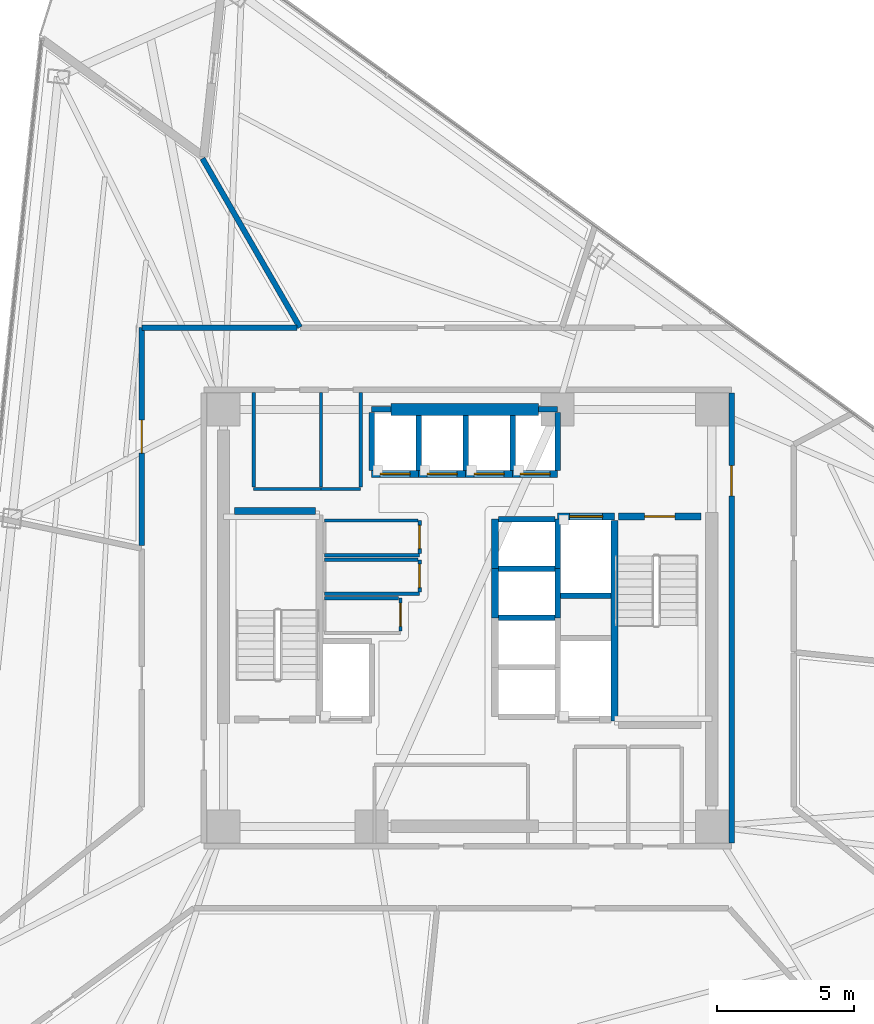
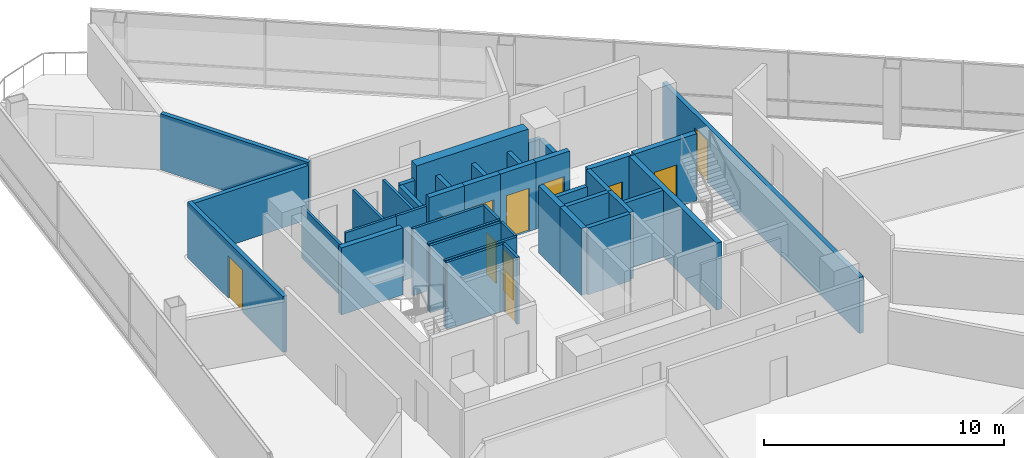
# One storey, part 12 of 19: 41 walls, 11 doors, 11 openings.
"""IFC4 building model written with IfcOpenShell, lengths in metres."""

import ifcopenshell
import ifcopenshell.guid

model = None  # the IFC model being written
_history = None  # IfcOwnerHistory: only IFC2X3 demands one
_inside = {}  # id of a spatial element -> (the spatial element, [elements in it])
_under = {}  # id of a project, library or spatial element -> (it, [spatial elements below it])
_declared = {}  # id of a project -> (the project, [libraries it declares])
_typed = {}  # id of a type object -> (the type object, [elements of that type])
_made_of = {}  # id of a material, layer set ... -> (it, [elements and type objects made of it])


def new_model(schema):
    """Start an empty IFC model of exactly this schema.

    Asked for "IFC4X3", IfcOpenShell would pick the latest addendum, in which some entities
    have other attributes; the version numbers below select the first issue.
    IFC2X3 requires an IfcOwnerHistory on every rooted entity: one is made here for all.
    """
    global model, _history
    if schema == "IFC4X3":
        model = ifcopenshell.file(schema_version=(4, 3, 0, 0))
    else:
        model = ifcopenshell.file(schema=schema)
    _inside.clear()
    _under.clear()
    _declared.clear()
    _typed.clear()
    _made_of.clear()
    _history = None
    if model.schema == "IFC2X3":
        org = make("IfcOrganization", Name="unknown")
        user = make(
            "IfcPersonAndOrganization",
            ThePerson=make("IfcPerson", FamilyName="unknown"),
            TheOrganization=org,
        )
        app = make(
            "IfcApplication",
            ApplicationDeveloper=org,
            Version="unknown",
            ApplicationFullName="unknown",
            ApplicationIdentifier="unknown",
        )
        _history = make(
            "IfcOwnerHistory",
            OwningUser=user,
            OwningApplication=app,
            ChangeAction="ADDED",
            CreationDate=0,
        )
    return model


def make(cls, **values):
    """One entity of the class cls with the attributes given. An attribute that is None is left unset."""
    return model.create_entity(
        cls, **{name: value for name, value in values.items() if value is not None}
    )


def rooted(cls, **values):
    """An entity with a GlobalId (a new one), such as an element, a storey or a relation."""
    return make(cls, GlobalId=ifcopenshell.guid.new(), OwnerHistory=_history, **values)


def si_unit(unit_type, name, prefix=None):
    """IfcSIUnit, for example si_unit("LENGTHUNIT", "METRE", prefix="MILLI")."""
    return make("IfcSIUnit", UnitType=unit_type, Prefix=prefix, Name=name)


def assignment(units):
    """IfcUnitAssignment: the units of a project."""
    return None if units is None else make("IfcUnitAssignment", Units=units)


def point(xyz):
    """IfcCartesianPoint."""
    return None if xyz is None else make("IfcCartesianPoint", Coordinates=xyz)


def direction(xyz):
    """IfcDirection."""
    return None if xyz is None else make("IfcDirection", DirectionRatios=xyz)


def frame(location, z_axis=None, x_axis=None):
    """IfcAxis2Placement3D, a coordinate frame: its origin and axes. An axis left out is left unset."""
    return make(
        "IfcAxis2Placement3D",
        Location=point(location),
        Axis=direction(z_axis),
        RefDirection=direction(x_axis),
    )


def frame_2d(location, x_axis=None):
    """IfcAxis2Placement2D, a coordinate frame in the plane: its origin and x axis."""
    return make(
        "IfcAxis2Placement2D", Location=point(location), RefDirection=direction(x_axis)
    )


def origin():
    """The frame at (0, 0, 0) with its axes left unset."""
    return frame((0.0, 0.0, 0.0))


def place(relative_to, where):
    """IfcLocalPlacement: puts the frame where relative to a parent placement (None: the world)."""
    return make(
        "IfcLocalPlacement", PlacementRelTo=relative_to, RelativePlacement=where
    )


def context(
    kind, dimensions, precision=None, world=None, true_north=None, identifier=None
):
    """IfcGeometricRepresentationContext, for example the 3D "Model" context."""
    return make(
        "IfcGeometricRepresentationContext",
        ContextIdentifier=identifier,
        ContextType=kind,
        CoordinateSpaceDimension=dimensions,
        Precision=precision,
        WorldCoordinateSystem=world,
        TrueNorth=true_north,
    )


def subcontext(parent, identifier, kind, view, scale=None):
    """IfcGeometricRepresentationSubContext, for example "Body" below "Model"."""
    return make(
        "IfcGeometricRepresentationSubContext",
        ContextIdentifier=identifier,
        ContextType=kind,
        ParentContext=parent,
        TargetScale=scale,
        TargetView=view,
    )


def project(units=None, contexts=None):
    """IfcProject with its units and contexts."""
    return rooted(
        "IfcProject",
        Name="project",
        RepresentationContexts=contexts,
        UnitsInContext=assignment(units),
    )


def spatial(cls, under=None, at=None, **own):
    """A site, building, storey or space (cls), placed at a placement, below another one or the project."""
    s = rooted(cls, ObjectPlacement=at, **own)
    if under is not None:
        _under.setdefault(under.id(), (under, []))[1].append(s)
    return s


def profile(cls, at=None, kind="AREA", **sizes):
    """A parametric profile (cls). Its sizes go by their IFC names, for example OverallWidth=200.0."""
    return make(cls, ProfileType=kind, Position=at, **sizes)


def rectangle(**sizes):
    """IfcRectangleProfileDef."""
    return profile("IfcRectangleProfileDef", **sizes)


def extrude(swept, where, along, depth):
    """IfcExtrudedAreaSolid: the profile swept, set in the frame where, extruded along a direction by depth."""
    return make(
        "IfcExtrudedAreaSolid",
        SweptArea=swept,
        Position=where,
        ExtrudedDirection=direction(along),
        Depth=depth,
    )


def shape(context_of_items, identifier, shape_type, items):
    """IfcShapeRepresentation: the items that make up one representation, for example the "Body"."""
    return make(
        "IfcShapeRepresentation",
        ContextOfItems=context_of_items,
        RepresentationIdentifier=identifier,
        RepresentationType=shape_type,
        Items=items,
    )


def material(Name=None, Category=None):
    """IfcMaterial."""
    return make("IfcMaterial", Name=Name, Category=Category)


def layer(
    of_material, thickness, ventilated=None, Name=None, Category=None, Priority=None
):
    """IfcMaterialLayer: one layer of a wall or slab, of a material (None: an air gap)."""
    return make(
        "IfcMaterialLayer",
        Material=of_material,
        LayerThickness=thickness,
        IsVentilated=ventilated,
        Name=Name,
        Category=Category,
        Priority=Priority,
    )


def layer_set(layers, Name=None):
    """IfcMaterialLayerSet."""
    return make("IfcMaterialLayerSet", MaterialLayers=layers, LayerSetName=Name)


def made_of(thing, what):
    """Note that an element or type object is made of a material, layer set ...; save() writes the relation."""
    if what is not None:
        _made_of.setdefault(what.id(), (what, []))[1].append(thing)
    return thing


def type_object(cls, material=None, **own):
    """A type object (cls), such as IfcWallType, which elements share."""
    return made_of(rooted(cls, **own), material)


def element(
    cls,
    number,
    at=None,
    inside=None,
    cuts=None,
    type_object=None,
    material=None,
    context=None,
    identifier="Body",
    shape_type=None,
    held_by="IfcProductDefinitionShape",
    body=None,
    shapes=None,
    **own,
):
    """One element of the class cls, such as IfcWall. Its Tag is "e" and its number.

    at: its placement. inside: the storey or other place that contains it. cuts: it is an
    opening in that element (IfcRelVoidsElement). A single representation is given by context,
    identifier, shape_type and body (its items); several are given by shapes. held_by: the class
    of the entity that holds the representations. save() writes the other relations.
    """
    e = rooted(cls, Tag="e%d" % number, ObjectPlacement=at, **own)
    if body is not None:
        shapes = [shape(context, identifier, shape_type, body)]
    if shapes is not None:
        e.Representation = make(held_by, Representations=shapes)
    if inside is not None:
        _inside.setdefault(inside.id(), (inside, []))[1].append(e)
    if cuts is not None:
        rooted(
            "IfcRelVoidsElement", RelatingBuildingElement=cuts, RelatedOpeningElement=e
        )
    if type_object is not None:
        _typed.setdefault(type_object.id(), (type_object, []))[1].append(e)
    return made_of(e, material)


def fill(opening, filler):
    """IfcRelFillsElement: the door or window that sits in an opening."""
    return rooted(
        "IfcRelFillsElement",
        RelatingOpeningElement=opening,
        RelatedBuildingElement=filler,
    )


def aggregate(whole, parts):
    """IfcRelAggregates: a whole, such as a stair, and the parts it consists of."""
    return rooted("IfcRelAggregates", RelatingObject=whole, RelatedObjects=parts)


def save(model, path):
    """Write the relations noted so far, then the file.

    IfcRelAggregates (storeys below a building ...), IfcRelContainedInSpatialStructure (elements
    in a storey), IfcRelDefinesByType, IfcRelAssociatesMaterial and IfcRelDeclares: one each for
    every whole, place, type object, material and project.
    """
    for whole, parts in _under.values():
        aggregate(whole, parts)
    for where, things in _inside.values():
        rooted(
            "IfcRelContainedInSpatialStructure",
            RelatedElements=things,
            RelatingStructure=where,
        )
    for kind, things in _typed.values():
        rooted("IfcRelDefinesByType", RelatedObjects=things, RelatingType=kind)
    for what, things in _made_of.values():
        rooted("IfcRelAssociatesMaterial", RelatedObjects=things, RelatingMaterial=what)
    for by, libraries in _declared.values():
        rooted("IfcRelDeclares", RelatingContext=by, RelatedDefinitions=libraries)
    model.write(path)


model = new_model("IFC4")

# Units and contexts
model_context = context("Model", 3, precision=1e-05, world=origin(), true_north=direction((0.0, 1.0)))
body_context = subcontext(model_context, "Body", "Model", "MODEL_VIEW")
ifc_project = project(units=[si_unit("LENGTHUNIT", "METRE"), si_unit("AREAUNIT", "SQUARE_METRE"), si_unit("VOLUMEUNIT", "CUBIC_METRE"), si_unit("PLANEANGLEUNIT", "RADIAN"), si_unit("MASSUNIT", "GRAM", prefix="KILO")], contexts=[model_context])

# Site, building, storey
site_placement = place(None, origin())
site = spatial("IfcSite", under=ifc_project, at=site_placement, CompositionType="ELEMENT")
building_placement = place(site_placement, origin())
building = spatial("IfcBuilding", under=site, at=building_placement, Name="Tharavind Bronze Gate", CompositionType="ELEMENT")
storey_placement = place(building_placement, frame((0.0, 0.0, 116.050048828125)))
storey = spatial("IfcBuildingStorey", under=building, at=storey_placement, Name="L29", CompositionType="ELEMENT", Elevation=116.050048828125)

# Wall, opening, door
ifc_material_1 = material(Name="Aerated Concrete Block", Category="concrete")
ifc_layer_1 = layer(ifc_material_1, 0.199951171875)
ifc_layer_set_1 = layer_set([ifc_layer_1], Name="Aerated Concrete Block")
wall_type_1 = type_object("IfcWallType", Name="FIRE RATED PARTITION 200", PredefinedType="PARTITIONING", material=ifc_layer_set_1)
wall_1_placement = place(storey_placement, frame((9.6201171875, -8.199951171875, 0.0), z_axis=(0.0, 0.0, 1.0), x_axis=(0.0, 1.0, 0.0)))
wall_1 = element("IfcWall", 1, at=wall_1_placement, inside=storey, type_object=wall_type_1, Name="L29 east core corridor wall", PredefinedType="PARTITIONING", context=body_context, shape_type="SweptSolid", body=[
    extrude(rectangle(XDim=16.39990234375, YDim=0.199951171875, at=frame_2d((8.199951171875, 0.0))), origin(), (0.0, 0.0, 1.0), 2.85498046875),
])
opening_1_placement = place(wall_1_placement, frame((12.64990234375, 0.0, 0.0)))
opening_1 = element("IfcOpeningElement", 2, at=opening_1_placement, cuts=wall_1, Name="Opening ID01", PredefinedType="OPENING", context=body_context, shape_type="SweptSolid", body=[
    extrude(rectangle(XDim=1.10009765625, YDim=2.14990234375, at=frame_2d((0.550048828125, 1.074951171875))), frame((0.0, 0.11009765625, 0.0), z_axis=(0.0, -1.0, 0.0), x_axis=(1.0, 0.0, 0.0)), (0.0, 0.0, 1.0), 0.219951171875),
])
ifc_material_2 = material(Name="Fire-Rated Steel", Category="steel")
door_type_1 = type_object("IfcDoorType", Name="STAIR CORE FIRE DOOR 1100X2150", OperationType="SINGLE_SWING_LEFT", PredefinedType="DOOR", material=ifc_material_2)
door_1_placement = place(opening_1_placement, frame((1.10009765625, 0.0, 0.0), z_axis=(0.0, 0.0, 1.0), x_axis=(-1.0, 0.0, 0.0)))
door_1 = element("IfcDoor", 3, at=door_1_placement, inside=storey, type_object=door_type_1, Name="L29 north east stair lobby fire door", OperationType="SINGLE_SWING_LEFT", OverallHeight=2.14990234375, OverallWidth=1.10009765625, PredefinedType="DOOR", context=body_context, shape_type="SweptSolid", body=[
    extrude(rectangle(XDim=1.10009765625, YDim=2.14990234375, at=frame_2d((0.550048828125, 1.074951171875))), frame((0.0, 0.02490234375, 0.0), z_axis=(0.0, -1.0, 0.0), x_axis=(1.0, 0.0, 0.0)), (0.0, 0.0, 1.0), 0.050048828125),
])
fill(opening_1, door_1)

# Walls
wall_2_placement = place(storey_placement, frame((-6.115478515625, 10.592529296875, 0.0), z_axis=(0.0, 0.0, 1.0), x_axis=(-0.50001885532, 0.866014517387, 0.0)))
element("IfcWall", 4, at=wall_2_placement, inside=storey, type_object=wall_type_1, Name="L29 Risk Analytics Office partition", PredefinedType="PARTITIONING", context=body_context, shape_type="SweptSolid", body=[
    extrude(rectangle(XDim=7.106201171875, YDim=0.199951171875, at=frame_2d((3.55322265625, 0.0))), origin(), (0.0, 0.0, 1.0), 2.85498046875),
])
wall_3_placement = place(storey_placement, frame((-6.2294921875, 10.580078125, 0.0), z_axis=(0.0, 0.0, 1.0), x_axis=(-1.0, 0.0, 0.0)))
element("IfcWall", 5, at=wall_3_placement, inside=storey, type_object=wall_type_1, Name="L29 Compliance Boardroom partition", PredefinedType="PARTITIONING", context=body_context, shape_type="SweptSolid", body=[
    extrude(rectangle(XDim=5.64990234375, YDim=0.199951171875, at=frame_2d((2.824951171875, 0.0))), origin(), (0.0, 0.0, 1.0), 2.7548828125),
])

# Wall, opening, door
wall_4_placement = place(storey_placement, frame((-11.8798828125, 10.579345703125, 0.0), z_axis=(0.0, 0.0, 1.0), x_axis=(0.0, -1.0, 0.0)))
wall_4 = element("IfcWall", 6, at=wall_4_placement, inside=storey, type_object=wall_type_1, Name="L29 Compliance Boardroom partition", PredefinedType="PARTITIONING", context=body_context, shape_type="SweptSolid", body=[
    extrude(rectangle(XDim=7.94677734375, YDim=0.199951171875, at=frame_2d((3.973388671875, 0.0))), origin(), (0.0, 0.0, 1.0), 2.85498046875),
])
opening_2_placement = place(wall_4_placement, frame((3.373046875, 0.0, 0.0)))
opening_2 = element("IfcOpeningElement", 7, at=opening_2_placement, cuts=wall_4, Name="Opening ID05", PredefinedType="OPENING", context=body_context, shape_type="SweptSolid", body=[
    extrude(rectangle(XDim=1.199951171875, YDim=2.14990234375, at=frame_2d((0.60009765625, 1.074951171875))), frame((0.0, 0.11009765625, 0.0), z_axis=(0.0, -1.0, 0.0), x_axis=(1.0, 0.0, 0.0)), (0.0, 0.0, 1.0), 0.219951171875),
])
ifc_material_3 = material(Name="Acoustic Laminated Glass", Category="glass")
door_type_2 = type_object("IfcDoorType", Name="MEETING ROOM GLAZED DOOR 1200X2150", OperationType="SINGLE_SWING_LEFT", PredefinedType="DOOR", material=ifc_material_3)
door_2_placement = place(opening_2_placement, origin())
door_2 = element("IfcDoor", 8, at=door_2_placement, inside=storey, type_object=door_type_2, Name="L29 Compliance Boardroom door", OperationType="SINGLE_SWING_LEFT", OverallHeight=2.14990234375, OverallWidth=1.199951171875, PredefinedType="DOOR", context=body_context, shape_type="SweptSolid", body=[
    extrude(rectangle(XDim=1.199951171875, YDim=2.14990234375, at=frame_2d((0.60009765625, 1.074951171875))), frame((0.0, 0.02490234375, 0.0), z_axis=(0.0, -1.0, 0.0), x_axis=(1.0, 0.0, 0.0)), (0.0, 0.0, 1.0), 0.050048828125),
])
fill(opening_2, door_2)

# Wall
ifc_material_4 = material(Name="Metal Stud Gypsum Partition", Category="gypsum")
ifc_layer_2 = layer(ifc_material_4, 0.1201171875)
ifc_layer_set_2 = layer_set([ifc_layer_2], Name="Metal Stud Gypsum Partition")
wall_type_2 = type_object("IfcWallType", Name="INTERIOR PARTITION WALL 120", PredefinedType="PARTITIONING", material=ifc_layer_set_2)
wall_5_placement = place(storey_placement, frame((-5.219970703125, 2.280029296875, 0.0), z_axis=(0.0, 0.0, 1.0), x_axis=(1.0, 0.0, 0.0)))
element("IfcWall", 9, at=wall_5_placement, inside=storey, type_object=wall_type_2, Name="L29 Housekeeping Linen Store partition 1", PredefinedType="PARTITIONING", context=body_context, shape_type="SweptSolid", body=[
    extrude(rectangle(XDim=3.469970703125, YDim=0.1201171875, at=frame_2d((1.73486328125, 0.0))), origin(), (0.0, 0.0, 1.0), 3.409912109375),
])

# Wall, opening, door
wall_6_placement = place(storey_placement, frame((-1.75, 2.344970703125, 0.0), z_axis=(0.0, 0.0, 1.0), x_axis=(0.0, 1.0, 0.0)))
wall_6 = element("IfcWall", 10, at=wall_6_placement, inside=storey, type_object=wall_type_2, Name="L29 Housekeeping Linen Store partition 2", PredefinedType="PARTITIONING", context=body_context, shape_type="SweptSolid", body=[
    extrude(rectangle(XDim=1.205078125, YDim=0.1201171875, at=frame_2d((0.6025390625, 0.0))), origin(), (0.0, 0.0, 1.0), 3.409912109375),
])
opening_3_placement = place(wall_6_placement, frame((0.177001953125, 0.0, 0.0)))
opening_3 = element("IfcOpeningElement", 11, at=opening_3_placement, cuts=wall_6, Name="Opening ID06", PredefinedType="OPENING", context=body_context, shape_type="SweptSolid", body=[
    extrude(rectangle(XDim=0.85009765625, YDim=2.10009765625, at=frame_2d((0.425048828125, 1.050048828125))), frame((0.0, 0.07005859375, 0.0), z_axis=(0.0, -1.0, 0.0), x_axis=(1.0, 0.0, 0.0)), (0.0, 0.0, 1.0), 0.1401171875),
])
ifc_material_5 = material(Name="Moisture-Resistant Timber", Category="wood")
door_type_3 = type_object("IfcDoorType", Name="BATHROOM PRIVACY DOOR 850X2100", OperationType="SINGLE_SWING_RIGHT", PredefinedType="DOOR", material=ifc_material_5)
door_3_placement = place(opening_3_placement, frame((0.85009765625, 0.0, 0.0), z_axis=(0.0, 0.0, 1.0), x_axis=(-1.0, 0.0, 0.0)))
door_3 = element("IfcDoor", 12, at=door_3_placement, inside=storey, type_object=door_type_3, Name="L29 Housekeeping Linen Store door", OperationType="SINGLE_SWING_RIGHT", OverallHeight=2.10009765625, OverallWidth=0.85009765625, PredefinedType="DOOR", context=body_context, shape_type="SweptSolid", body=[
    extrude(rectangle(XDim=0.85009765625, YDim=2.10009765625, at=frame_2d((0.425048828125, 1.050048828125))), frame((0.0, 0.02490234375, 0.0), z_axis=(0.0, -1.0, 0.0), x_axis=(1.0, 0.0, 0.0)), (0.0, 0.0, 1.0), 0.050048828125),
])
fill(opening_3, door_3)

# Walls
wall_7_placement = place(storey_placement, frame((-1.81494140625, 3.550048828125, 0.0), z_axis=(0.0, 0.0, 1.0), x_axis=(-1.0, 0.0, 0.0)))
element("IfcWall", 13, at=wall_7_placement, inside=storey, type_object=wall_type_2, Name="L29 Housekeeping Linen Store partition 3", PredefinedType="PARTITIONING", context=body_context, shape_type="SweptSolid", body=[
    extrude(rectangle(XDim=3.405029296875, YDim=0.1201171875, at=frame_2d((1.70263671875, 0.0))), origin(), (0.0, 0.0, 1.0), 3.409912109375),
])
wall_8_placement = place(storey_placement, frame((-5.219970703125, 0.8798828125, 0.0), z_axis=(0.0, 0.0, 1.0), x_axis=(1.0, 0.0, 0.0)))
element("IfcWall", 14, at=wall_8_placement, inside=storey, type_object=wall_type_2, Name="L29 Comms Data Room partition 1", PredefinedType="PARTITIONING", context=body_context, shape_type="SweptSolid", body=[
    extrude(rectangle(XDim=3.469970703125, YDim=0.1201171875, at=frame_2d((1.73486328125, 0.0))), origin(), (0.0, 0.0, 1.0), 3.409912109375),
])

# Wall, opening, door
wall_9_placement = place(storey_placement, frame((-1.75, 0.945068359375, 0.0), z_axis=(0.0, 0.0, 1.0), x_axis=(0.0, 1.0, 0.0)))
wall_9 = element("IfcWall", 15, at=wall_9_placement, inside=storey, type_object=wall_type_2, Name="L29 Comms Data Room partition 2", PredefinedType="PARTITIONING", context=body_context, shape_type="SweptSolid", body=[
    extrude(rectangle(XDim=1.175048828125, YDim=0.1201171875, at=frame_2d((0.58740234375, 0.0))), origin(), (0.0, 0.0, 1.0), 3.409912109375),
])
opening_4_placement = place(wall_9_placement, frame((0.1630859375, 0.0, 0.0)))
opening_4 = element("IfcOpeningElement", 16, at=opening_4_placement, cuts=wall_9, Name="Opening ID06", PredefinedType="OPENING", context=body_context, shape_type="SweptSolid", body=[
    extrude(rectangle(XDim=0.85009765625, YDim=2.10009765625, at=frame_2d((0.425048828125, 1.050048828125))), frame((0.0, 0.07005859375, 0.0), z_axis=(0.0, -1.0, 0.0), x_axis=(1.0, 0.0, 0.0)), (0.0, 0.0, 1.0), 0.1401171875),
])
door_4_placement = place(opening_4_placement, frame((0.85009765625, 0.0, 0.0), z_axis=(0.0, 0.0, 1.0), x_axis=(-1.0, 0.0, 0.0)))
door_4 = element("IfcDoor", 17, at=door_4_placement, inside=storey, type_object=door_type_3, Name="L29 Comms Data Room door", OperationType="SINGLE_SWING_RIGHT", OverallHeight=2.10009765625, OverallWidth=0.85009765625, PredefinedType="DOOR", context=body_context, shape_type="SweptSolid", body=[
    extrude(rectangle(XDim=0.85009765625, YDim=2.10009765625, at=frame_2d((0.425048828125, 1.050048828125))), frame((0.0, 0.02490234375, 0.0), z_axis=(0.0, -1.0, 0.0), x_axis=(1.0, 0.0, 0.0)), (0.0, 0.0, 1.0), 0.050048828125),
])
fill(opening_4, door_4)

# Wall
wall_10_placement = place(storey_placement, frame((-1.81494140625, 2.1201171875, 0.0), z_axis=(0.0, 0.0, 1.0), x_axis=(-1.0, 0.0, 0.0)))
element("IfcWall", 18, at=wall_10_placement, inside=storey, type_object=wall_type_2, Name="L29 Comms Data Room partition 3", PredefinedType="PARTITIONING", context=body_context, shape_type="SweptSolid", body=[
    extrude(rectangle(XDim=3.405029296875, YDim=0.1201171875, at=frame_2d((1.70263671875, 0.0))), origin(), (0.0, 0.0, 1.0), 3.409912109375),
])

# Wall, opening, door
wall_11_placement = place(storey_placement, frame((-2.449951171875, -0.485107421875, 0.0), z_axis=(0.0, 0.0, 1.0), x_axis=(0.0, 1.0, 0.0)))
wall_11 = element("IfcWall", 19, at=wall_11_placement, inside=storey, type_object=wall_type_2, Name="L29 Electrical Metering Store partition 2", PredefinedType="PARTITIONING", context=body_context, shape_type="SweptSolid", body=[
    extrude(rectangle(XDim=1.205078125, YDim=0.1201171875, at=frame_2d((0.6025390625, 0.0))), origin(), (0.0, 0.0, 1.0), 3.409912109375),
])
opening_5_placement = place(wall_11_placement, frame((0.177978515625, 0.0, 0.0)))
opening_5 = element("IfcOpeningElement", 20, at=opening_5_placement, cuts=wall_11, Name="Opening ID06", PredefinedType="OPENING", context=body_context, shape_type="SweptSolid", body=[
    extrude(rectangle(XDim=0.85009765625, YDim=2.10009765625, at=frame_2d((0.425048828125, 1.050048828125))), frame((0.0, 0.07005859375, 0.0), z_axis=(0.0, -1.0, 0.0), x_axis=(1.0, 0.0, 0.0)), (0.0, 0.0, 1.0), 0.1401171875),
])
door_5_placement = place(opening_5_placement, frame((0.85009765625, 0.0, 0.0), z_axis=(0.0, 0.0, 1.0), x_axis=(-1.0, 0.0, 0.0)))
door_5 = element("IfcDoor", 21, at=door_5_placement, inside=storey, type_object=door_type_3, Name="L29 Electrical Metering Store door", OperationType="SINGLE_SWING_RIGHT", OverallHeight=2.10009765625, OverallWidth=0.85009765625, PredefinedType="DOOR", context=body_context, shape_type="SweptSolid", body=[
    extrude(rectangle(XDim=0.85009765625, YDim=2.10009765625, at=frame_2d((0.425048828125, 1.050048828125))), frame((0.0, 0.02490234375, 0.0), z_axis=(0.0, -1.0, 0.0), x_axis=(1.0, 0.0, 0.0)), (0.0, 0.0, 1.0), 0.050048828125),
])
fill(opening_5, door_5)

# Walls
wall_12_placement = place(storey_placement, frame((-2.514892578125, 0.719970703125, 0.0), z_axis=(0.0, 0.0, 1.0), x_axis=(-1.0, 0.0, 0.0)))
element("IfcWall", 22, at=wall_12_placement, inside=storey, type_object=wall_type_2, Name="L29 Electrical Metering Store partition 3", PredefinedType="PARTITIONING", context=body_context, shape_type="SweptSolid", body=[
    extrude(rectangle(XDim=2.705078125, YDim=0.1201171875, at=frame_2d((1.3525390625, 0.0))), origin(), (0.0, 0.0, 1.0), 3.409912109375),
])
wall_13_placement = place(storey_placement, frame((-7.800048828125, 4.699951171875, 0.0), z_axis=(0.0, 0.0, 1.0), x_axis=(1.0, 0.0, 0.0)))
element("IfcWall", 23, at=wall_13_placement, inside=storey, type_object=wall_type_2, Name="L29 Electrical Metering Room partition 1", PredefinedType="PARTITIONING", context=body_context, shape_type="SweptSolid", body=[
    extrude(rectangle(XDim=2.449951171875, YDim=0.1201171875, at=frame_2d((1.22509765625, 0.0))), origin(), (0.0, 0.0, 1.0), 3.409912109375),
])
for number, where, z_axis, x_axis, name in (
    (24, (-5.35009765625, 4.764892578125, 0.0), (0.0, 0.0, 1.0), (0.0, 1.0, 0.0), "L29 Electrical Metering Room partition 2"),
    (25, (-7.800048828125, 8.215087890625, 0.0), (0.0, 0.0, 1.0), (0.0, -1.0, 0.0), "L29 Electrical Metering Room partition 4"),
):
    element("IfcWall", number, at=place(storey_placement, frame(where, z_axis=z_axis, x_axis=x_axis)), inside=storey, type_object=wall_type_2, Name=name, PredefinedType="PARTITIONING", context=body_context, shape_type="SweptSolid", body=[
        extrude(rectangle(XDim=3.4501953125, YDim=0.1201171875, at=frame_2d((1.72509765625, 0.0))), origin(), (0.0, 0.0, 1.0), 2.60498046875),
    ])
wall_14_placement = place(storey_placement, frame((-5.35009765625, 4.699951171875, 0.0), z_axis=(0.0, 0.0, 1.0), x_axis=(1.0, 0.0, 0.0)))
element("IfcWall", 26, at=wall_14_placement, inside=storey, type_object=wall_type_2, Name="L29 Linen Cupboard partition 1", PredefinedType="PARTITIONING", context=body_context, shape_type="SweptSolid", body=[
    extrude(rectangle(XDim=1.4501953125, YDim=0.1201171875, at=frame_2d((0.72509765625, 0.0))), origin(), (0.0, 0.0, 1.0), 3.409912109375),
])
wall_15_placement = place(storey_placement, frame((-3.89990234375, 4.764892578125, 0.0), z_axis=(0.0, 0.0, 1.0), x_axis=(0.0, 1.0, 0.0)))
element("IfcWall", 27, at=wall_15_placement, inside=storey, type_object=wall_type_2, Name="L29 Linen Cupboard partition 2", PredefinedType="PARTITIONING", context=body_context, shape_type="SweptSolid", body=[
    extrude(rectangle(XDim=3.4501953125, YDim=0.1201171875, at=frame_2d((1.72509765625, 0.0))), origin(), (0.0, 0.0, 1.0), 2.60498046875),
])
ifc_material_6 = material(Name="Concrete C50/60", Category="concrete")
ifc_layer_3 = layer(ifc_material_6, 0.25)
ifc_layer_set_3 = layer_set([ifc_layer_3], Name="Concrete C50/60")
wall_type_3 = type_object("IfcWallType", Name="RC CORE SHEAR WALL 250", PredefinedType="SHEAR", material=ifc_layer_set_3)
wall_16_placement = place(storey_placement, frame((-8.5, 3.89990234375, 0.0), z_axis=(0.0, 0.0, 1.0), x_axis=(1.0, 0.0, 0.0)))
element("IfcWall", 28, at=wall_16_placement, inside=storey, type_object=wall_type_3, Name="L29 ST1 shaft north wall", PredefinedType="SHEAR", context=body_context, shape_type="SweptSolid", body=[
    extrude(rectangle(XDim=2.949951171875, YDim=0.25, at=frame_2d((1.47509765625, 0.0))), origin(), (0.0, 0.0, 1.0), 3.409912109375),
])
wall_17_placement = place(storey_placement, frame((5.35009765625, -3.75, 0.0), z_axis=(0.0, 0.0, 1.0), x_axis=(0.0, 1.0, 0.0)))
element("IfcWall", 29, at=wall_17_placement, inside=storey, type_object=wall_type_3, Name="L29 ST2 shaft west wall", PredefinedType="SHEAR", context=body_context, shape_type="SweptSolid", body=[
    extrude(rectangle(XDim=7.300048828125, YDim=0.25, at=frame_2d((3.64990234375, 0.0))), origin(), (0.0, 0.0, 1.0), 3.409912109375),
])

# Wall, opening, door
wall_18_placement = place(storey_placement, frame((5.5, 3.699951171875, 0.0), z_axis=(0.0, 0.0, 1.0), x_axis=(1.0, 0.0, 0.0)))
wall_18 = element("IfcWall", 30, at=wall_18_placement, inside=storey, type_object=wall_type_3, Name="L29 ST2 shaft north wall", PredefinedType="SHEAR", context=body_context, shape_type="SweptSolid", body=[
    extrude(rectangle(XDim=3.0, YDim=0.25, at=frame_2d((1.5, 0.0))), origin(), (0.0, 0.0, 1.0), 3.409912109375),
])
opening_6_placement = place(wall_18_placement, frame((0.949951171875, 0.0, 0.0)))
opening_6 = element("IfcOpeningElement", 31, at=opening_6_placement, cuts=wall_18, Name="Opening ID01", PredefinedType="OPENING", context=body_context, shape_type="SweptSolid", body=[
    extrude(rectangle(XDim=1.10009765625, YDim=2.14990234375, at=frame_2d((0.550048828125, 1.074951171875))), frame((0.0, 0.135, 0.0), z_axis=(0.0, -1.0, 0.0), x_axis=(1.0, 0.0, 0.0)), (0.0, 0.0, 1.0), 0.27),
])
door_6_placement = place(opening_6_placement, frame((1.10009765625, 0.0, 0.0), z_axis=(0.0, 0.0, 1.0), x_axis=(-1.0, 0.0, 0.0)))
door_6 = element("IfcDoor", 32, at=door_6_placement, inside=storey, type_object=door_type_1, Name="L29 exit stair ST2 fire door", OperationType="SINGLE_SWING_LEFT", OverallHeight=2.14990234375, OverallWidth=1.10009765625, PredefinedType="DOOR", context=body_context, shape_type="SweptSolid", body=[
    extrude(rectangle(XDim=1.10009765625, YDim=2.14990234375, at=frame_2d((0.550048828125, 1.074951171875))), frame((0.0, 0.02490234375, 0.0), z_axis=(0.0, -1.0, 0.0), x_axis=(1.0, 0.0, 0.0)), (0.0, 0.0, 1.0), 0.050048828125),
])
fill(opening_6, door_6)

wall_19_placement = place(storey_placement, frame((-3.5, 5.25, 0.0), z_axis=(0.0, 0.0, 1.0), x_axis=(1.0, 0.0, 0.0)))
wall_19 = element("IfcWall", 33, at=wall_19_placement, inside=storey, type_object=wall_type_3, Name="L29 lift PL5 shaft front wall", PredefinedType="SHEAR", context=body_context, shape_type="SweptSolid", body=[
    extrude(rectangle(XDim=1.71240234375, YDim=0.25, at=frame_2d((0.856201171875, 0.0))), origin(), (0.0, 0.0, 1.0), 3.409912109375),
])
opening_7_placement = place(wall_19_placement, frame((0.305908203125, 0.0, 0.0)))
opening_7 = element("IfcOpeningElement", 34, at=opening_7_placement, cuts=wall_19, Name="Opening LD01", PredefinedType="OPENING", context=body_context, shape_type="SweptSolid", body=[
    extrude(rectangle(XDim=1.10009765625, YDim=2.199951171875, at=frame_2d((0.550048828125, 1.10009765625))), frame((0.0, 0.135, 0.0), z_axis=(0.0, -1.0, 0.0), x_axis=(1.0, 0.0, 0.0)), (0.0, 0.0, 1.0), 0.27),
])
ifc_material_7 = material(Name="Brushed Bronze Stainless Steel", Category="steel")
door_type_4 = type_object("IfcDoorType", Name="LIFT LANDING SLIDING DOOR 1100X2200", OperationType="SLIDING_TO_LEFT", PredefinedType="DOOR", material=ifc_material_7)
door_7_placement = place(opening_7_placement, origin())
door_7 = element("IfcDoor", 35, at=door_7_placement, inside=storey, type_object=door_type_4, Name="L29 lift PL5 sliding landing door", OperationType="SLIDING_TO_LEFT", OverallHeight=2.199951171875, OverallWidth=1.10009765625, PredefinedType="DOOR", context=body_context, shape_type="SweptSolid", body=[
    extrude(rectangle(XDim=1.10009765625, YDim=2.199951171875, at=frame_2d((0.550048828125, 1.10009765625))), frame((0.0, 0.02490234375, 0.0), z_axis=(0.0, -1.0, 0.0), x_axis=(1.0, 0.0, 0.0)), (0.0, 0.0, 1.0), 0.050048828125),
])
fill(opening_7, door_7)

wall_20_placement = place(storey_placement, frame((-1.78759765625, 5.25, 0.0), z_axis=(0.0, 0.0, 1.0), x_axis=(1.0, 0.0, 0.0)))
wall_20 = element("IfcWall", 36, at=wall_20_placement, inside=storey, type_object=wall_type_3, Name="L29 lift PL6 shaft front wall", PredefinedType="SHEAR", context=body_context, shape_type="SweptSolid", body=[
    extrude(rectangle(XDim=1.712646484375, YDim=0.25, at=frame_2d((0.8564453125, 0.0))), origin(), (0.0, 0.0, 1.0), 3.409912109375),
])
opening_8_placement = place(wall_20_placement, frame((0.305908203125, 0.0, 0.0)))
opening_8 = element("IfcOpeningElement", 37, at=opening_8_placement, cuts=wall_20, Name="Opening LD01", PredefinedType="OPENING", context=body_context, shape_type="SweptSolid", body=[
    extrude(rectangle(XDim=1.10009765625, YDim=2.199951171875, at=frame_2d((0.550048828125, 1.10009765625))), frame((0.0, 0.135, 0.0), z_axis=(0.0, -1.0, 0.0), x_axis=(1.0, 0.0, 0.0)), (0.0, 0.0, 1.0), 0.27),
])
door_8_placement = place(opening_8_placement, origin())
door_8 = element("IfcDoor", 38, at=door_8_placement, inside=storey, type_object=door_type_4, Name="L29 lift PL6 sliding landing door", OperationType="SLIDING_TO_LEFT", OverallHeight=2.199951171875, OverallWidth=1.10009765625, PredefinedType="DOOR", context=body_context, shape_type="SweptSolid", body=[
    extrude(rectangle(XDim=1.10009765625, YDim=2.199951171875, at=frame_2d((0.550048828125, 1.10009765625))), frame((0.0, 0.02490234375, 0.0), z_axis=(0.0, -1.0, 0.0), x_axis=(1.0, 0.0, 0.0)), (0.0, 0.0, 1.0), 0.050048828125),
])
fill(opening_8, door_8)

wall_21_placement = place(storey_placement, frame((-0.074951171875, 5.25, 0.0), z_axis=(0.0, 0.0, 1.0), x_axis=(1.0, 0.0, 0.0)))
wall_21 = element("IfcWall", 39, at=wall_21_placement, inside=storey, type_object=wall_type_3, Name="L29 lift PL7 shaft front wall", PredefinedType="SHEAR", context=body_context, shape_type="SweptSolid", body=[
    extrude(rectangle(XDim=1.71240234375, YDim=0.25, at=frame_2d((0.856201171875, 0.0))), origin(), (0.0, 0.0, 1.0), 3.409912109375),
])
opening_9_placement = place(wall_21_placement, frame((0.305908203125, 0.0, 0.0)))
opening_9 = element("IfcOpeningElement", 40, at=opening_9_placement, cuts=wall_21, Name="Opening LD01", PredefinedType="OPENING", context=body_context, shape_type="SweptSolid", body=[
    extrude(rectangle(XDim=1.10009765625, YDim=2.199951171875, at=frame_2d((0.550048828125, 1.10009765625))), frame((0.0, 0.135, 0.0), z_axis=(0.0, -1.0, 0.0), x_axis=(1.0, 0.0, 0.0)), (0.0, 0.0, 1.0), 0.27),
])
door_9_placement = place(opening_9_placement, origin())
door_9 = element("IfcDoor", 41, at=door_9_placement, inside=storey, type_object=door_type_4, Name="L29 lift PL7 sliding landing door", OperationType="SLIDING_TO_LEFT", OverallHeight=2.199951171875, OverallWidth=1.10009765625, PredefinedType="DOOR", context=body_context, shape_type="SweptSolid", body=[
    extrude(rectangle(XDim=1.10009765625, YDim=2.199951171875, at=frame_2d((0.550048828125, 1.10009765625))), frame((0.0, 0.02490234375, 0.0), z_axis=(0.0, -1.0, 0.0), x_axis=(1.0, 0.0, 0.0)), (0.0, 0.0, 1.0), 0.050048828125),
])
fill(opening_9, door_9)

wall_22_placement = place(storey_placement, frame((1.637451171875, 5.25, 0.0), z_axis=(0.0, 0.0, 1.0), x_axis=(1.0, 0.0, 0.0)))
wall_22 = element("IfcWall", 42, at=wall_22_placement, inside=storey, type_object=wall_type_3, Name="L29 lift PL8 shaft front wall", PredefinedType="SHEAR", context=body_context, shape_type="SweptSolid", body=[
    extrude(rectangle(XDim=1.642578125, YDim=0.25, at=frame_2d((0.8212890625, 0.0))), origin(), (0.0, 0.0, 1.0), 3.409912109375),
])
opening_10_placement = place(wall_22_placement, frame((0.27099609375, 0.0, 0.0)))
opening_10 = element("IfcOpeningElement", 43, at=opening_10_placement, cuts=wall_22, Name="Opening LD01", PredefinedType="OPENING", context=body_context, shape_type="SweptSolid", body=[
    extrude(rectangle(XDim=1.10009765625, YDim=2.199951171875, at=frame_2d((0.550048828125, 1.10009765625))), frame((0.0, 0.135, 0.0), z_axis=(0.0, -1.0, 0.0), x_axis=(1.0, 0.0, 0.0)), (0.0, 0.0, 1.0), 0.27),
])
door_10_placement = place(opening_10_placement, origin())
door_10 = element("IfcDoor", 44, at=door_10_placement, inside=storey, type_object=door_type_4, Name="L29 lift PL8 sliding landing door", OperationType="SLIDING_TO_LEFT", OverallHeight=2.199951171875, OverallWidth=1.10009765625, PredefinedType="DOOR", context=body_context, shape_type="SweptSolid", body=[
    extrude(rectangle(XDim=1.10009765625, YDim=2.199951171875, at=frame_2d((0.550048828125, 1.10009765625))), frame((0.0, 0.02490234375, 0.0), z_axis=(0.0, -1.0, 0.0), x_axis=(1.0, 0.0, 0.0)), (0.0, 0.0, 1.0), 0.050048828125),
])
fill(opening_10, door_10)

# Walls
for number, where, z_axis, x_axis, name in (
    (45, (1.0, 0.0, 0.0), (0.0, 0.0, 1.0), (0.0, 1.0, 0.0), "L29 lift PL11 shaft front wall"),
    (46, (1.0, 1.800048828125, 0.0), (0.0, 0.0, 1.0), (0.0, 1.0, 0.0), "L29 lift PL12 shaft front wall"),
):
    element("IfcWall", number, at=place(storey_placement, frame(where, z_axis=z_axis, x_axis=x_axis)), inside=storey, type_object=wall_type_3, Name=name, PredefinedType="SHEAR", context=body_context, shape_type="SweptSolid", body=[
        extrude(rectangle(XDim=1.800048828125, YDim=0.25, at=frame_2d((0.89990234375, 0.0))), origin(), (0.0, 0.0, 1.0), 3.409912109375),
    ])

# Wall, opening, door
wall_23_placement = place(storey_placement, frame((3.280029296875, 3.699951171875, 0.0), z_axis=(0.0, 0.0, 1.0), x_axis=(1.0, 0.0, 0.0)))
wall_23 = element("IfcWall", 47, at=wall_23_placement, inside=storey, type_object=wall_type_3, Name="L29 lift FFL2 shaft front wall", PredefinedType="SHEAR", context=body_context, shape_type="SweptSolid", body=[
    extrude(rectangle(XDim=2.070068359375, YDim=0.25, at=frame_2d((1.03515625, 0.0))), origin(), (0.0, 0.0, 1.0), 3.409912109375),
])
opening_11_placement = place(wall_23_placement, frame((0.43505859375, 0.0, 0.0)))
opening_11 = element("IfcOpeningElement", 48, at=opening_11_placement, cuts=wall_23, Name="Opening LD02", PredefinedType="OPENING", context=body_context, shape_type="SweptSolid", body=[
    extrude(rectangle(XDim=1.199951171875, YDim=2.199951171875, at=frame_2d((0.60009765625, 1.10009765625))), frame((0.0, 0.135, 0.0), z_axis=(0.0, -1.0, 0.0), x_axis=(1.0, 0.0, 0.0)), (0.0, 0.0, 1.0), 0.27),
])
ifc_material_8 = material(Name="Brushed Stainless Steel", Category="steel")
door_type_5 = type_object("IfcDoorType", Name="FIREFIGHTING LIFT LANDING DOOR 1200X2200", OperationType="SLIDING_TO_RIGHT", PredefinedType="DOOR", material=ifc_material_8)
door_11_placement = place(opening_11_placement, origin())
door_11 = element("IfcDoor", 49, at=door_11_placement, inside=storey, type_object=door_type_5, Name="L29 lift FFL2 sliding landing door", OperationType="SLIDING_TO_RIGHT", OverallHeight=2.199951171875, OverallWidth=1.199951171875, PredefinedType="DOOR", context=body_context, shape_type="SweptSolid", body=[
    extrude(rectangle(XDim=1.199951171875, YDim=2.199951171875, at=frame_2d((0.60009765625, 1.10009765625))), frame((0.0, 0.02490234375, 0.0), z_axis=(0.0, -1.0, 0.0), x_axis=(1.0, 0.0, 0.0)), (0.0, 0.0, 1.0), 0.050048828125),
])
fill(opening_11, door_11)

# Walls
ifc_material_9 = material(Name="Concrete C60/75", Category="concrete")
ifc_layer_4 = layer(ifc_material_9, 0.449951171875)
ifc_layer_set_4 = layer_set([ifc_layer_4], Name="Concrete C60/75")
wall_type_4 = type_object("IfcWallType", Name="RC CORE SHEAR WALL 450", PredefinedType="SHEAR", material=ifc_layer_set_4)
wall_24_placement = place(storey_placement, frame((-2.800048828125, 7.60009765625, 0.0), z_axis=(0.0, 0.0, 1.0), x_axis=(1.0, 0.0, 0.0)))
element("IfcWall", 50, at=wall_24_placement, inside=storey, type_object=wall_type_4, Name="L29 north core shear wall", PredefinedType="SHEAR", context=body_context, shape_type="SweptSolid", body=[
    extrude(rectangle(XDim=5.380126953125, YDim=0.449951171875, at=frame_2d((2.68994140625, 0.0))), origin(), (0.0, 0.0, 1.0), 3.409912109375),
])
ifc_material_10 = material(Name="Concrete C40/50", Category="concrete")
ifc_layer_5 = layer(ifc_material_10, 0.199951171875)
ifc_layer_set_5 = layer_set([ifc_layer_5], Name="Concrete C40/50")
wall_type_5 = type_object("IfcWallType", Name="SHAFT ENCLOSURE WALL 200", PredefinedType="PARTITIONING", material=ifc_layer_set_5)
wall_25_placement = place(storey_placement, frame((-3.5, 7.60009765625, 0.0), z_axis=(0.0, 0.0, 1.0), x_axis=(1.0, 0.0, 0.0)))
element("IfcWall", 51, at=wall_25_placement, inside=storey, type_object=wall_type_5, Name="L29 lift PL5 shaft N enclosure wall", PredefinedType="PARTITIONING", context=body_context, shape_type="SweptSolid", body=[
    extrude(rectangle(XDim=0.699951171875, YDim=0.199951171875, at=frame_2d((0.35009765625, 0.0))), origin(), (0.0, 0.0, 1.0), 2.60498046875),
])
wall_26_placement = place(storey_placement, frame((-3.5, 5.3798828125, 0.0), z_axis=(0.0, 0.0, 1.0), x_axis=(0.0, 1.0, 0.0)))
element("IfcWall", 52, at=wall_26_placement, inside=storey, type_object=wall_type_5, Name="L29 lift PL5 shaft W enclosure wall", PredefinedType="PARTITIONING", context=body_context, shape_type="SweptSolid", body=[
    extrude(rectangle(XDim=2.115234375, YDim=0.199951171875, at=frame_2d((1.0576171875, 0.0))), origin(), (0.0, 0.0, 1.0), 2.60498046875),
])
for number, where, z_axis, x_axis, name in (
    (53, (-1.78759765625, 5.3798828125, 0.0), (0.0, 0.0, 1.0), (0.0, 1.0, 0.0), "L29 lift PL5 shaft E enclosure wall"),
    (54, (-0.074951171875, 5.3798828125, 0.0), (0.0, 0.0, 1.0), (0.0, 1.0, 0.0), "L29 lift PL6 shaft E enclosure wall"),
    (55, (1.637451171875, 5.3798828125, 0.0), (0.0, 0.0, 1.0), (0.0, 1.0, 0.0), "L29 lift PL7 shaft E enclosure wall"),
):
    element("IfcWall", number, at=place(storey_placement, frame(where, z_axis=z_axis, x_axis=x_axis)), inside=storey, type_object=wall_type_5, Name=name, PredefinedType="PARTITIONING", context=body_context, shape_type="SweptSolid", body=[
        extrude(rectangle(XDim=1.990234375, YDim=0.199951171875, at=frame_2d((0.9951171875, 0.0))), origin(), (0.0, 0.0, 1.0), 2.60498046875),
    ])
wall_27_placement = place(storey_placement, frame((2.580078125, 7.60009765625, 0.0), z_axis=(0.0, 0.0, 1.0), x_axis=(1.0, 0.0, 0.0)))
element("IfcWall", 56, at=wall_27_placement, inside=storey, type_object=wall_type_5, Name="L29 lift PL8 shaft N enclosure wall", PredefinedType="PARTITIONING", context=body_context, shape_type="SweptSolid", body=[
    extrude(rectangle(XDim=0.699951171875, YDim=0.199951171875, at=frame_2d((0.35009765625, 0.0))), origin(), (0.0, 0.0, 1.0), 2.60498046875),
])
wall_28_placement = place(storey_placement, frame((3.280029296875, 5.3798828125, 0.0), z_axis=(0.0, 0.0, 1.0), x_axis=(0.0, 1.0, 0.0)))
element("IfcWall", 57, at=wall_28_placement, inside=storey, type_object=wall_type_5, Name="L29 lift PL8 shaft E enclosure wall", PredefinedType="PARTITIONING", context=body_context, shape_type="SweptSolid", body=[
    extrude(rectangle(XDim=2.115234375, YDim=0.199951171875, at=frame_2d((1.0576171875, 0.0))), origin(), (0.0, 0.0, 1.0), 2.60498046875),
])
wall_29_placement = place(storey_placement, frame((1.1298828125, 0.0, 0.0), z_axis=(0.0, 0.0, 1.0), x_axis=(1.0, 0.0, 0.0)))
element("IfcWall", 58, at=wall_29_placement, inside=storey, type_object=wall_type_5, Name="L29 lift PL10 shaft N enclosure wall", PredefinedType="PARTITIONING", context=body_context, shape_type="SweptSolid", body=[
    extrude(rectangle(XDim=2.045166015625, YDim=0.199951171875, at=frame_2d((1.0224609375, 0.0))), origin(), (0.0, 0.0, 1.0), 3.409912109375),
])
wall_30_placement = place(storey_placement, frame((3.280029296875, 0.0, 0.0), z_axis=(0.0, 0.0, 1.0), x_axis=(0.0, 1.0, 0.0)))
element("IfcWall", 59, at=wall_30_placement, inside=storey, type_object=wall_type_5, Name="L29 lift PL11 shaft E enclosure wall", PredefinedType="PARTITIONING", context=body_context, shape_type="SweptSolid", body=[
    extrude(rectangle(XDim=1.800048828125, YDim=0.199951171875, at=frame_2d((0.89990234375, 0.0))), origin(), (0.0, 0.0, 1.0), 3.409912109375),
])
wall_31_placement = place(storey_placement, frame((1.1298828125, 1.800048828125, 0.0), z_axis=(0.0, 0.0, 1.0), x_axis=(1.0, 0.0, 0.0)))
element("IfcWall", 60, at=wall_31_placement, inside=storey, type_object=wall_type_5, Name="L29 lift PL11 shaft N enclosure wall", PredefinedType="PARTITIONING", context=body_context, shape_type="SweptSolid", body=[
    extrude(rectangle(XDim=2.045166015625, YDim=0.199951171875, at=frame_2d((1.0224609375, 0.0))), origin(), (0.0, 0.0, 1.0), 3.409912109375),
])
wall_32_placement = place(storey_placement, frame((3.280029296875, 1.800048828125, 0.0), z_axis=(0.0, 0.0, 1.0), x_axis=(0.0, 1.0, 0.0)))
element("IfcWall", 61, at=wall_32_placement, inside=storey, type_object=wall_type_5, Name="L29 lift PL12 shaft E enclosure wall", PredefinedType="PARTITIONING", context=body_context, shape_type="SweptSolid", body=[
    extrude(rectangle(XDim=1.800048828125, YDim=0.199951171875, at=frame_2d((0.89990234375, 0.0))), origin(), (0.0, 0.0, 1.0), 3.409912109375),
])
wall_33_placement = place(storey_placement, frame((1.1298828125, 3.60009765625, 0.0), z_axis=(0.0, 0.0, 1.0), x_axis=(1.0, 0.0, 0.0)))
element("IfcWall", 62, at=wall_33_placement, inside=storey, type_object=wall_type_5, Name="L29 lift PL12 shaft N enclosure wall", PredefinedType="PARTITIONING", context=body_context, shape_type="SweptSolid", body=[
    extrude(rectangle(XDim=2.045166015625, YDim=0.199951171875, at=frame_2d((1.0224609375, 0.0))), origin(), (0.0, 0.0, 1.0), 2.60498046875),
])
wall_34_placement = place(storey_placement, frame((3.385009765625, 0.800048828125, 0.0), z_axis=(0.0, 0.0, 1.0), x_axis=(1.0, 0.0, 0.0)))
element("IfcWall", 63, at=wall_34_placement, inside=storey, type_object=wall_type_5, Name="L29 lift FFL2 shaft S enclosure wall", PredefinedType="PARTITIONING", context=body_context, shape_type="SweptSolid", body=[
    extrude(rectangle(XDim=1.8349609375, YDim=0.199951171875, at=frame_2d((0.91748046875, 0.0))), origin(), (0.0, 0.0, 1.0), 3.409912109375),
])

save(model, "model.ifc")
